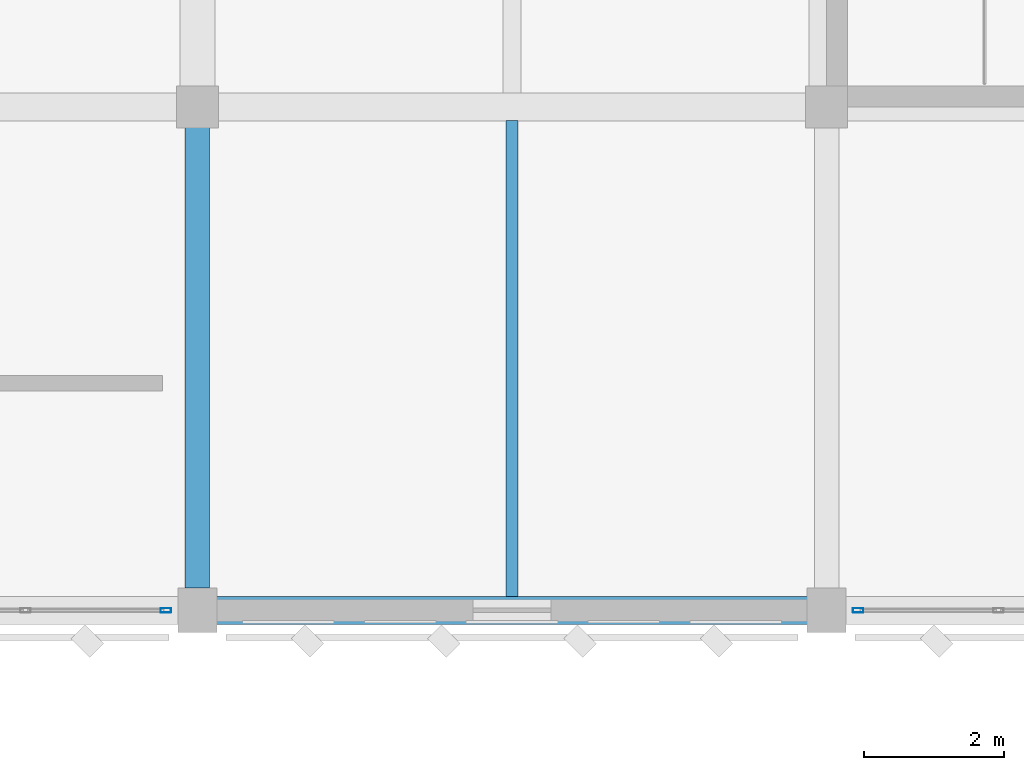
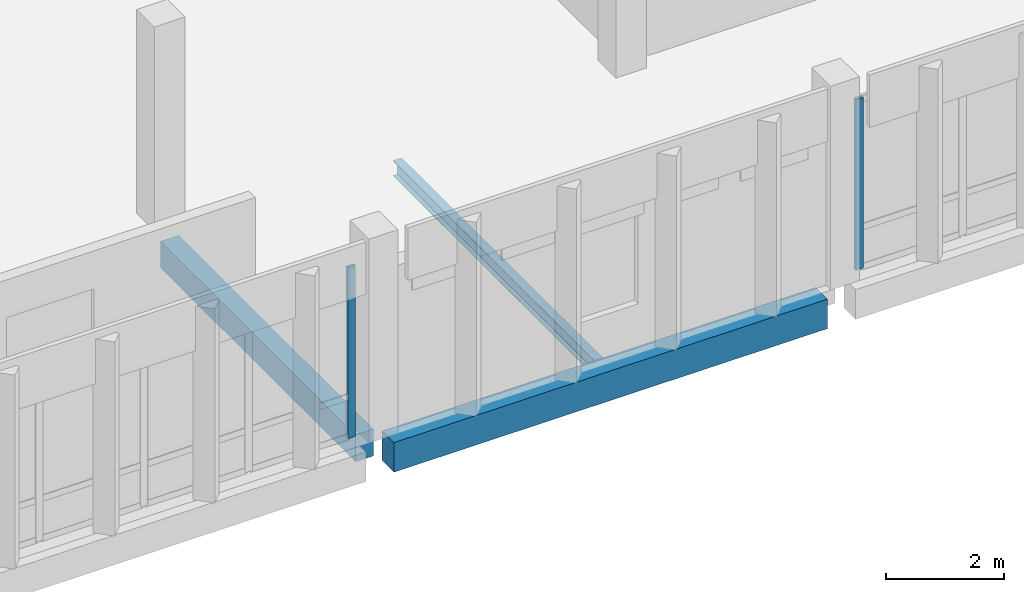
# One storey, part 64 of 158: 3 beams, 2 members, 2 elements without a shape of their own.
"""IFC4 building model written with IfcOpenShell, lengths in metres."""

from ifc_helpers import new_model, si_unit, direction, frame, origin, origin_2d, place, context, subcontext, project, spatial, rectangle, hollow_rectangle, i_section, extrude, material, material_profile, profile_set, type_object, element, aggregate, save


model = new_model("IFC4")

# Units and contexts
model_context = context("Model", 3, precision=1e-05, world=origin(), true_north=direction((0.0, 1.0)))
body_context = subcontext(model_context, "Body", "Model", "MODEL_VIEW")
ifc_project = project(units=[si_unit("LENGTHUNIT", "METRE"), si_unit("AREAUNIT", "SQUARE_METRE"), si_unit("VOLUMEUNIT", "CUBIC_METRE"), si_unit("PLANEANGLEUNIT", "RADIAN"), si_unit("MASSUNIT", "GRAM", prefix="KILO")], contexts=[model_context])

# Site, building, storey
site_placement = place(None, origin())
site = spatial("IfcSite", under=ifc_project, at=site_placement, CompositionType="ELEMENT")
building_placement = place(site_placement, origin())
building = spatial("IfcBuilding", under=site, at=building_placement, Name="Lusvemor Sports Hall", CompositionType="ELEMENT")
storey_placement = place(building_placement, frame((0.0, 0.0, 10.800048828125)))
storey = spatial("IfcBuildingStorey", under=building, at=storey_placement, Name="L02", CompositionType="ELEMENT", Elevation=10.800048828125)

# Beam
ifc_material_1 = material(Name="Concrete C40/50", Category="concrete")
ifc_material_profile_1 = material_profile(ifc_material_1, rectangle(XDim=0.35009765625, YDim=0.550048828125, at=origin_2d()), Name="RC350x550")
ifc_profile_set_1 = profile_set([ifc_material_profile_1], Name="Concrete C40/50")
beam_type_1 = type_object("IfcBeamType", Name="BEAM_RC_550", PredefinedType="BEAM", material=ifc_profile_set_1)
beam_1_placement = place(storey_placement, frame((93.60009765625, 97.51611328125, -0.53515625), z_axis=(0.0, 1.0, 0.0), x_axis=(-1.0, 0.0, 0.0)))
element("IfcBeam", 1, at=beam_1_placement, inside=storey, type_object=beam_type_1, Name="Beam L02 10:N-P", PredefinedType="BEAM", context=body_context, shape_type="SweptSolid", body=[
    extrude(rectangle(XDim=0.35009765625, YDim=0.550048828125, at=origin_2d()), origin(), (0.0, 0.0, 1.0), 6.587890625),
])

# Curtain wall, member
ifc_material_2 = material(Name="Thermally broken bronze-anodized aluminium", Category="aluminium")
curtain_wall_type = type_object("IfcCurtainWallType", Name="CW_WING_B", PredefinedType="NOTDEFINED", material=ifc_material_2)
curtain_wall_1_placement = place(storey_placement, origin())
curtain_wall_1 = element("IfcCurtainWall", 2, at=curtain_wall_1_placement, inside=storey, type_object=curtain_wall_type, Name="Curtain Wall CW-L02-S-3-6", PredefinedType="NOTDEFINED")
ifc_material_3 = material(Name="Thermally broken bronze-anodized aluminium", Category="aluminium")
ifc_material_profile_2 = material_profile(ifc_material_3, hollow_rectangle(XDim=0.06494140625, YDim=0.14990234375, WallThickness=0.00390625, InnerFilletRadius=0.00390625, OuterFilletRadius=0.008056640625, at=origin_2d()), Name="CWMUL150x65x4")
ifc_profile_set_2 = profile_set([ifc_material_profile_2], Name="Thermally broken bronze-anodized aluminium")
member_type = type_object("IfcMemberType", Name="CW_MUL_B", PredefinedType="MULLION", material=ifc_profile_set_2)
member_1_placement = place(storey_placement, frame((93.1474609375, 97.199951171875, 0.0), z_axis=(0.0, 0.0, 1.0), x_axis=(0.0, -1.0, 0.0)))
member_1 = element("IfcMember", 3, at=member_1_placement, type_object=member_type, Name="CW02 mullion 1", PredefinedType="MULLION", context=body_context, shape_type="SweptSolid", body=[
    extrude(hollow_rectangle(XDim=0.06494140625, YDim=0.14990234375, WallThickness=0.00390625, InnerFilletRadius=0.00390625, OuterFilletRadius=0.008056640625, at=origin_2d()), origin(), (0.0, 0.0, 1.0), 3.52001953125),
])
aggregate(curtain_wall_1, [member_1])

curtain_wall_2_placement = place(storey_placement, origin())
curtain_wall_2 = element("IfcCurtainWall", 4, at=curtain_wall_2_placement, inside=storey, type_object=curtain_wall_type, Name="Curtain Wall CW-L02-S-3-8", PredefinedType="NOTDEFINED")
member_2_placement = place(storey_placement, frame((103.052490234375, 97.199951171875, 0.0), z_axis=(0.0, 0.0, 1.0), x_axis=(0.0, -1.0, 0.0)))
member_2 = element("IfcMember", 5, at=member_2_placement, type_object=member_type, Name="CW02 mullion 5", PredefinedType="MULLION", context=body_context, shape_type="SweptSolid", body=[
    extrude(hollow_rectangle(XDim=0.06494140625, YDim=0.14990234375, WallThickness=0.00390625, InnerFilletRadius=0.00390625, OuterFilletRadius=0.008056640625, at=origin_2d()), origin(), (0.0, 0.0, 1.0), 3.52001953125),
])
aggregate(curtain_wall_2, [member_2])

# Beams
ifc_material_4 = material(Name="Steel S355", Category="steel")
ifc_material_profile_3 = material_profile(ifc_material_4, i_section(OverallWidth=0.1669921875, OverallDepth=0.31689453125, WebThickness=0.007568359375, FlangeThickness=0.01318359375, FilletRadius=0.014892578125, at=origin_2d()), Name="W310x52.0")
ifc_profile_set_3 = profile_set([ifc_material_profile_3], Name="Steel S355")
beam_type_2 = type_object("IfcBeamType", Name="JOIST_ST_310M", PredefinedType="JOIST", material=ifc_profile_set_3)
beam_2_placement = place(storey_placement, frame((98.10009765625, 97.39599609375, -0.422607421875), z_axis=(0.0, 1.0, 0.0), x_axis=(-1.0, 0.0, 0.0)))
element("IfcBeam", 6, at=beam_2_placement, inside=storey, type_object=beam_type_2, Name="Secondary Joist L02 10-11/N-P #1", PredefinedType="JOIST", context=body_context, shape_type="SweptSolid", body=[
    extrude(i_section(OverallWidth=0.1669921875, OverallDepth=0.31689453125, WebThickness=0.007568359375, FlangeThickness=0.01318359375, FilletRadius=0.014892578125, at=origin_2d()), origin(), (0.0, 0.0, 1.0), 6.80810546875),
])
ifc_material_5 = material(Name="Concrete C40/50", Category="concrete")
ifc_material_profile_4 = material_profile(ifc_material_5, rectangle(XDim=0.39990234375, YDim=0.610107421875, at=origin_2d()), Name="RC400x610")
ifc_profile_set_4 = profile_set([ifc_material_profile_4], Name="Concrete C40/50")
beam_type_3 = type_object("IfcBeamType", Name="SPAND_EXT_650", PredefinedType="SPANDREL", material=ifc_profile_set_4)
beam_3_placement = place(storey_placement, frame((93.8759765625, 97.199951171875, -0.56494140625), z_axis=(1.0, 0.0, 0.0), x_axis=(0.0, 1.0, 0.0)))
element("IfcBeam", 7, at=beam_3_placement, inside=storey, type_object=beam_type_3, Name="Beam L02 N:10-11", PredefinedType="SPANDREL", context=body_context, shape_type="SweptSolid", body=[
    extrude(rectangle(XDim=0.39990234375, YDim=0.610107421875, at=origin_2d()), origin(), (0.0, 0.0, 1.0), 8.447998046875),
])

save(model, "model.ifc")
